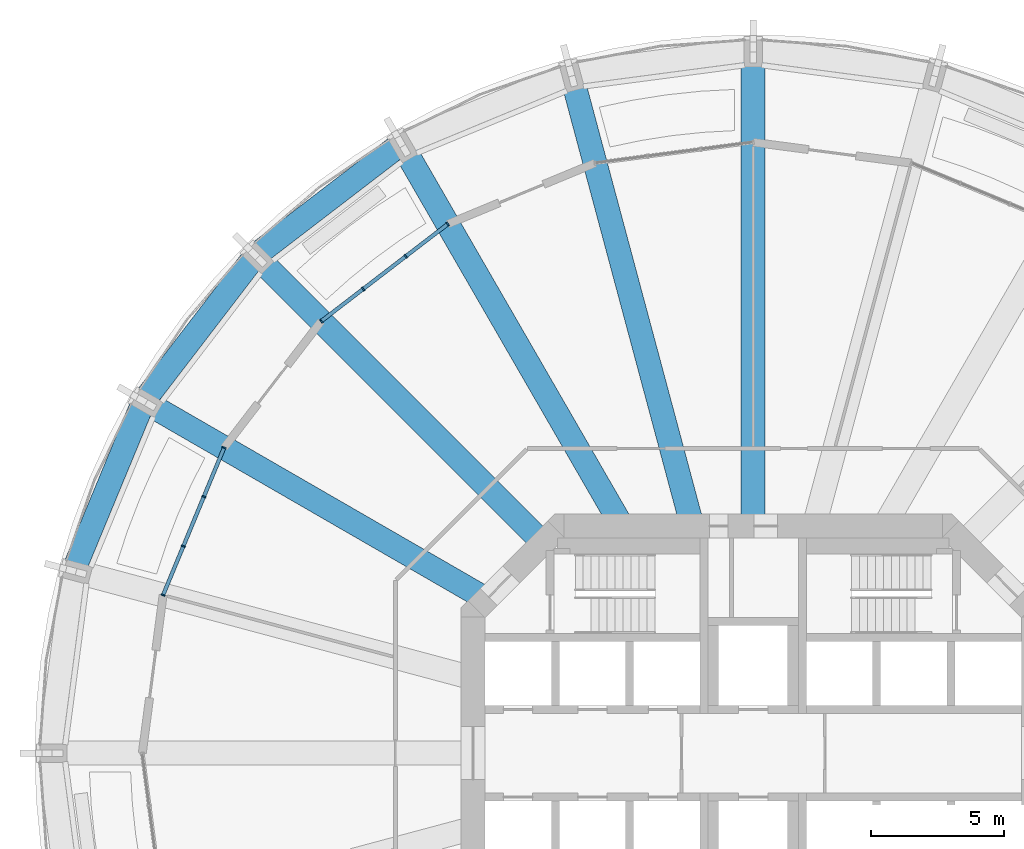
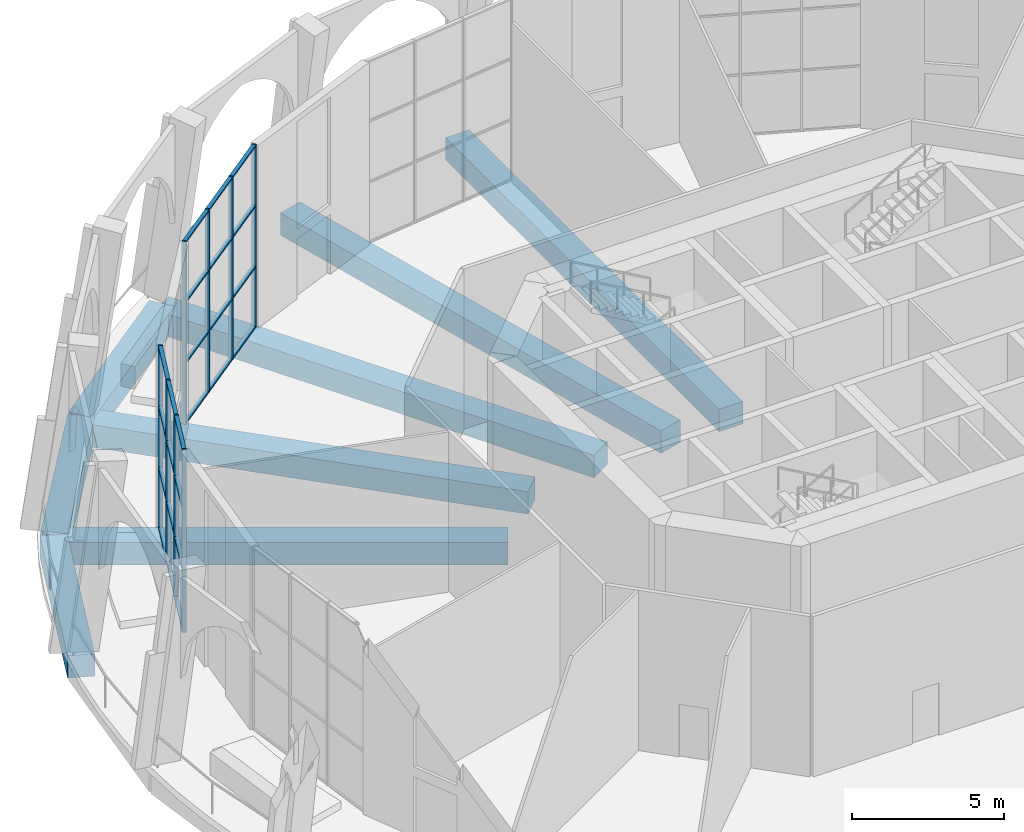
# One storey, part 7 of 19: 32 members, 8 beams, 2 elements without a shape of their own.
"""IFC4 building model written with IfcOpenShell, lengths in metres."""

import ifcopenshell
import ifcopenshell.guid

model = None  # the IFC model being written
_history = None  # IfcOwnerHistory: only IFC2X3 demands one
_inside = {}  # id of a spatial element -> (the spatial element, [elements in it])
_under = {}  # id of a project, library or spatial element -> (it, [spatial elements below it])
_declared = {}  # id of a project -> (the project, [libraries it declares])
_typed = {}  # id of a type object -> (the type object, [elements of that type])
_made_of = {}  # id of a material, layer set ... -> (it, [elements and type objects made of it])


def new_model(schema):
    """Start an empty IFC model of exactly this schema.

    Asked for "IFC4X3", IfcOpenShell would pick the latest addendum, in which some entities
    have other attributes; the version numbers below select the first issue.
    IFC2X3 requires an IfcOwnerHistory on every rooted entity: one is made here for all.
    """
    global model, _history
    if schema == "IFC4X3":
        model = ifcopenshell.file(schema_version=(4, 3, 0, 0))
    else:
        model = ifcopenshell.file(schema=schema)
    _inside.clear()
    _under.clear()
    _declared.clear()
    _typed.clear()
    _made_of.clear()
    _history = None
    if model.schema == "IFC2X3":
        org = make("IfcOrganization", Name="unknown")
        user = make(
            "IfcPersonAndOrganization",
            ThePerson=make("IfcPerson", FamilyName="unknown"),
            TheOrganization=org,
        )
        app = make(
            "IfcApplication",
            ApplicationDeveloper=org,
            Version="unknown",
            ApplicationFullName="unknown",
            ApplicationIdentifier="unknown",
        )
        _history = make(
            "IfcOwnerHistory",
            OwningUser=user,
            OwningApplication=app,
            ChangeAction="ADDED",
            CreationDate=0,
        )
    return model


def make(cls, **values):
    """One entity of the class cls with the attributes given. An attribute that is None is left unset."""
    return model.create_entity(
        cls, **{name: value for name, value in values.items() if value is not None}
    )


def rooted(cls, **values):
    """An entity with a GlobalId (a new one), such as an element, a storey or a relation."""
    return make(cls, GlobalId=ifcopenshell.guid.new(), OwnerHistory=_history, **values)


def si_unit(unit_type, name, prefix=None):
    """IfcSIUnit, for example si_unit("LENGTHUNIT", "METRE", prefix="MILLI")."""
    return make("IfcSIUnit", UnitType=unit_type, Prefix=prefix, Name=name)


def assignment(units):
    """IfcUnitAssignment: the units of a project."""
    return None if units is None else make("IfcUnitAssignment", Units=units)


def point(xyz):
    """IfcCartesianPoint."""
    return None if xyz is None else make("IfcCartesianPoint", Coordinates=xyz)


def direction(xyz):
    """IfcDirection."""
    return None if xyz is None else make("IfcDirection", DirectionRatios=xyz)


def frame(location, z_axis=None, x_axis=None):
    """IfcAxis2Placement3D, a coordinate frame: its origin and axes. An axis left out is left unset."""
    return make(
        "IfcAxis2Placement3D",
        Location=point(location),
        Axis=direction(z_axis),
        RefDirection=direction(x_axis),
    )


def frame_2d(location, x_axis=None):
    """IfcAxis2Placement2D, a coordinate frame in the plane: its origin and x axis."""
    return make(
        "IfcAxis2Placement2D", Location=point(location), RefDirection=direction(x_axis)
    )


def origin():
    """The frame at (0, 0, 0) with its axes left unset."""
    return frame((0.0, 0.0, 0.0))


def origin_2d():
    """The frame at (0, 0) in the plane with its x axis left unset."""
    return frame_2d((0.0, 0.0))


def place(relative_to, where):
    """IfcLocalPlacement: puts the frame where relative to a parent placement (None: the world)."""
    return make(
        "IfcLocalPlacement", PlacementRelTo=relative_to, RelativePlacement=where
    )


def context(
    kind, dimensions, precision=None, world=None, true_north=None, identifier=None
):
    """IfcGeometricRepresentationContext, for example the 3D "Model" context."""
    return make(
        "IfcGeometricRepresentationContext",
        ContextIdentifier=identifier,
        ContextType=kind,
        CoordinateSpaceDimension=dimensions,
        Precision=precision,
        WorldCoordinateSystem=world,
        TrueNorth=true_north,
    )


def subcontext(parent, identifier, kind, view, scale=None):
    """IfcGeometricRepresentationSubContext, for example "Body" below "Model"."""
    return make(
        "IfcGeometricRepresentationSubContext",
        ContextIdentifier=identifier,
        ContextType=kind,
        ParentContext=parent,
        TargetScale=scale,
        TargetView=view,
    )


def project(units=None, contexts=None):
    """IfcProject with its units and contexts."""
    return rooted(
        "IfcProject",
        Name="project",
        RepresentationContexts=contexts,
        UnitsInContext=assignment(units),
    )


def spatial(cls, under=None, at=None, **own):
    """A site, building, storey or space (cls), placed at a placement, below another one or the project."""
    s = rooted(cls, ObjectPlacement=at, **own)
    if under is not None:
        _under.setdefault(under.id(), (under, []))[1].append(s)
    return s


def profile(cls, at=None, kind="AREA", **sizes):
    """A parametric profile (cls). Its sizes go by their IFC names, for example OverallWidth=200.0."""
    return make(cls, ProfileType=kind, Position=at, **sizes)


def rectangle(**sizes):
    """IfcRectangleProfileDef."""
    return profile("IfcRectangleProfileDef", **sizes)


def extrude(swept, where, along, depth):
    """IfcExtrudedAreaSolid: the profile swept, set in the frame where, extruded along a direction by depth."""
    return make(
        "IfcExtrudedAreaSolid",
        SweptArea=swept,
        Position=where,
        ExtrudedDirection=direction(along),
        Depth=depth,
    )


def shape(context_of_items, identifier, shape_type, items):
    """IfcShapeRepresentation: the items that make up one representation, for example the "Body"."""
    return make(
        "IfcShapeRepresentation",
        ContextOfItems=context_of_items,
        RepresentationIdentifier=identifier,
        RepresentationType=shape_type,
        Items=items,
    )


def material(Name=None, Category=None):
    """IfcMaterial."""
    return make("IfcMaterial", Name=Name, Category=Category)


def material_profile(
    of_material, cross_section, Name=None, Category=None, Priority=None
):
    """IfcMaterialProfile: a cross section and its material."""
    return make(
        "IfcMaterialProfile",
        Name=Name,
        Material=of_material,
        Profile=cross_section,
        Priority=Priority,
        Category=Category,
    )


def profile_set(profiles, Name=None, composite=None):
    """IfcMaterialProfileSet."""
    return make(
        "IfcMaterialProfileSet",
        Name=Name,
        MaterialProfiles=profiles,
        CompositeProfile=composite,
    )


def made_of(thing, what):
    """Note that an element or type object is made of a material, layer set ...; save() writes the relation."""
    if what is not None:
        _made_of.setdefault(what.id(), (what, []))[1].append(thing)
    return thing


def type_object(cls, material=None, **own):
    """A type object (cls), such as IfcWallType, which elements share."""
    return made_of(rooted(cls, **own), material)


def element(
    cls,
    number,
    at=None,
    inside=None,
    cuts=None,
    type_object=None,
    material=None,
    context=None,
    identifier="Body",
    shape_type=None,
    held_by="IfcProductDefinitionShape",
    body=None,
    shapes=None,
    **own,
):
    """One element of the class cls, such as IfcWall. Its Tag is "e" and its number.

    at: its placement. inside: the storey or other place that contains it. cuts: it is an
    opening in that element (IfcRelVoidsElement). A single representation is given by context,
    identifier, shape_type and body (its items); several are given by shapes. held_by: the class
    of the entity that holds the representations. save() writes the other relations.
    """
    e = rooted(cls, Tag="e%d" % number, ObjectPlacement=at, **own)
    if body is not None:
        shapes = [shape(context, identifier, shape_type, body)]
    if shapes is not None:
        e.Representation = make(held_by, Representations=shapes)
    if inside is not None:
        _inside.setdefault(inside.id(), (inside, []))[1].append(e)
    if cuts is not None:
        rooted(
            "IfcRelVoidsElement", RelatingBuildingElement=cuts, RelatedOpeningElement=e
        )
    if type_object is not None:
        _typed.setdefault(type_object.id(), (type_object, []))[1].append(e)
    return made_of(e, material)


def aggregate(whole, parts):
    """IfcRelAggregates: a whole, such as a stair, and the parts it consists of."""
    return rooted("IfcRelAggregates", RelatingObject=whole, RelatedObjects=parts)


def save(model, path):
    """Write the relations noted so far, then the file.

    IfcRelAggregates (storeys below a building ...), IfcRelContainedInSpatialStructure (elements
    in a storey), IfcRelDefinesByType, IfcRelAssociatesMaterial and IfcRelDeclares: one each for
    every whole, place, type object, material and project.
    """
    for whole, parts in _under.values():
        aggregate(whole, parts)
    for where, things in _inside.values():
        rooted(
            "IfcRelContainedInSpatialStructure",
            RelatedElements=things,
            RelatingStructure=where,
        )
    for kind, things in _typed.values():
        rooted("IfcRelDefinesByType", RelatedObjects=things, RelatingType=kind)
    for what, things in _made_of.values():
        rooted("IfcRelAssociatesMaterial", RelatedObjects=things, RelatingMaterial=what)
    for by, libraries in _declared.values():
        rooted("IfcRelDeclares", RelatingContext=by, RelatedDefinitions=libraries)
    model.write(path)


model = new_model("IFC4")

# Units and contexts
model_context = context("Model", 3, precision=1e-05, world=origin(), true_north=direction((0.0, 1.0)))
body_context = subcontext(model_context, "Body", "Model", "MODEL_VIEW")
ifc_project = project(units=[si_unit("LENGTHUNIT", "METRE"), si_unit("AREAUNIT", "SQUARE_METRE"), si_unit("VOLUMEUNIT", "CUBIC_METRE"), si_unit("PLANEANGLEUNIT", "RADIAN"), si_unit("MASSUNIT", "GRAM", prefix="KILO")], contexts=[model_context])

# Site, building, storey
site_placement = place(None, origin())
site = spatial("IfcSite", under=ifc_project, at=site_placement, CompositionType="ELEMENT")
building_placement = place(site_placement, origin())
building = spatial("IfcBuilding", under=site, at=building_placement, Name="Torre Triforio", CompositionType="ELEMENT")
storey_placement = place(building_placement, frame((0.0, 0.0, 79.0)))
storey = spatial("IfcBuildingStorey", under=building, at=storey_placement, Name="L17", CompositionType="ELEMENT", Elevation=79.0)

# Curtain wall, members
ifc_material_1 = material(Name="Aluminium mullion and transom frame with clear laminated glass", Category="aluminium")
curtain_wall_type = type_object("IfcCurtainWallType", Name="Sky garden conservatory wall ECW3", PredefinedType="NOTDEFINED", material=ifc_material_1)
curtain_wall_1_placement = place(storey_placement, origin())
curtain_wall_1 = element("IfcCurtainWall", 1, at=curtain_wall_1_placement, inside=storey, type_object=curtain_wall_type, Name="Conservatory wall L17 bay 09", PredefinedType="NOTDEFINED")
ifc_material_2 = material(Name="Anodised aluminium extrusion", Category="aluminium")
ifc_material_profile_1 = material_profile(ifc_material_2, rectangle(XDim=0.159912109375, YDim=0.06005859375, at=origin_2d()), Name="ECW3 MULLION 60x160")
ifc_profile_set_1 = profile_set([ifc_material_profile_1], Name="Anodised aluminium extrusion")
member_type_1 = type_object("IfcMemberType", Name="ECW3 mullion 60 x 160", PredefinedType="MULLION", material=ifc_profile_set_1)
member_1_placement = place(storey_placement, frame((-11.5, 19.91845703125, 0.0), z_axis=(0.0, 0.0, 1.0), x_axis=(0.608752412461, -0.79336025885, 0.0)))
member_1 = element("IfcMember", 2, at=member_1_placement, type_object=member_type_1, Name="ECW3 mullion 1", PredefinedType="MULLION", context=body_context, shape_type="SweptSolid", body=[
    extrude(rectangle(XDim=0.159912109375, YDim=0.06005859375, at=origin_2d()), origin(), (0.0, 0.0, 1.0), 7.320068359375),
])
member_2_placement = place(storey_placement, frame((-13.079833984375, 18.706298828125, 0.0), z_axis=(0.0, 0.0, 1.0), x_axis=(0.608752412461, -0.79336025885, 0.0)))
member_2 = element("IfcMember", 3, at=member_2_placement, type_object=member_type_1, Name="ECW3 mullion 2", PredefinedType="MULLION", context=body_context, shape_type="SweptSolid", body=[
    extrude(rectangle(XDim=0.159912109375, YDim=0.06005859375, at=origin_2d()), origin(), (0.0, 0.0, 1.0), 7.320068359375),
])
member_3_placement = place(storey_placement, frame((-14.68359375, 17.475830078125, 0.0), z_axis=(0.0, 0.0, 1.0), x_axis=(0.608752412461, -0.79336025885, 0.0)))
member_3 = element("IfcMember", 4, at=member_3_placement, type_object=member_type_1, Name="ECW3 mullion 3", PredefinedType="MULLION", context=body_context, shape_type="SweptSolid", body=[
    extrude(rectangle(XDim=0.159912109375, YDim=0.06005859375, at=origin_2d()), origin(), (0.0, 0.0, 1.0), 7.320068359375),
])
member_4_placement = place(storey_placement, frame((-16.263427734375, 16.263427734375, 0.0), z_axis=(0.0, 0.0, 1.0), x_axis=(0.608752412461, -0.79336025885, 0.0)))
member_4 = element("IfcMember", 5, at=member_4_placement, type_object=member_type_1, Name="ECW3 mullion 4", PredefinedType="MULLION", context=body_context, shape_type="SweptSolid", body=[
    extrude(rectangle(XDim=0.159912109375, YDim=0.06005859375, at=origin_2d()), origin(), (0.0, 0.0, 1.0), 7.320068359375),
])

curtain_wall_2_placement = place(storey_placement, origin())
curtain_wall_2 = element("IfcCurtainWall", 6, at=curtain_wall_2_placement, inside=storey, type_object=curtain_wall_type, Name="Conservatory wall L17 bay 11", PredefinedType="NOTDEFINED")
member_5_placement = place(storey_placement, frame((-19.918701171875, 11.5, 0.0), z_axis=(0.0, 0.0, 1.0), x_axis=(0.923877952799, -0.382687246105, 0.0)))
member_5 = element("IfcMember", 7, at=member_5_placement, type_object=member_type_1, Name="ECW3 mullion 1", PredefinedType="MULLION", context=body_context, shape_type="SweptSolid", body=[
    extrude(rectangle(XDim=0.159912109375, YDim=0.06005859375, at=origin_2d()), origin(), (0.0, 0.0, 1.0), 7.320068359375),
])
member_6_placement = place(storey_placement, frame((-20.6806640625, 9.66015625, 0.0), z_axis=(0.0, 0.0, 1.0), x_axis=(0.923877952799, -0.382687246105, 0.0)))
member_6 = element("IfcMember", 8, at=member_6_placement, type_object=member_type_1, Name="ECW3 mullion 2", PredefinedType="MULLION", context=body_context, shape_type="SweptSolid", body=[
    extrude(rectangle(XDim=0.159912109375, YDim=0.06005859375, at=origin_2d()), origin(), (0.0, 0.0, 1.0), 7.320068359375),
])
member_7_placement = place(storey_placement, frame((-21.454345703125, 7.792724609375, 0.0), z_axis=(0.0, 0.0, 1.0), x_axis=(0.923877952799, -0.382687246105, 0.0)))
member_7 = element("IfcMember", 9, at=member_7_placement, type_object=member_type_1, Name="ECW3 mullion 3", PredefinedType="MULLION", context=body_context, shape_type="SweptSolid", body=[
    extrude(rectangle(XDim=0.159912109375, YDim=0.06005859375, at=origin_2d()), origin(), (0.0, 0.0, 1.0), 7.320068359375),
])
member_8_placement = place(storey_placement, frame((-22.21630859375, 5.952880859375, 0.0), z_axis=(0.0, 0.0, 1.0), x_axis=(0.923877952799, -0.382687246105, 0.0)))
member_8 = element("IfcMember", 10, at=member_8_placement, type_object=member_type_1, Name="ECW3 mullion 4", PredefinedType="MULLION", context=body_context, shape_type="SweptSolid", body=[
    extrude(rectangle(XDim=0.159912109375, YDim=0.06005859375, at=origin_2d()), origin(), (0.0, 0.0, 1.0), 7.320068359375),
])

# Member
ifc_material_profile_2 = material_profile(ifc_material_2, rectangle(XDim=0.139892578125, YDim=0.06005859375, at=origin_2d()), Name="ECW3 TRANSOM 60x140")
ifc_profile_set_2 = profile_set([ifc_material_profile_2], Name="Anodised aluminium extrusion")
member_type_2 = type_object("IfcMemberType", Name="ECW3 transom 60 x 140", PredefinedType="USERDEFINED", material=ifc_profile_set_2)
member_9_placement = place(storey_placement, frame((-11.523681640625, 19.900390625, 0.030029296875), z_axis=(-0.793384563644, -0.608720735783, 0.0), x_axis=(0.608720735783, -0.793384563644, 0.0)))
member_9 = element("IfcMember", 11, at=member_9_placement, type_object=member_type_2, Name="ECW3 transom 1.1", ObjectType="TRANSOM", PredefinedType="USERDEFINED", context=body_context, shape_type="SweptSolid", body=[
    extrude(rectangle(XDim=0.139892578125, YDim=0.06005859375, at=origin_2d()), origin(), (0.0, 0.0, 1.0), 1.931640625),
])

member_10_placement = place(storey_placement, frame((-11.523681640625, 19.900390625, 2.43994140625), z_axis=(-0.793384563644, -0.608720735783, 0.0), x_axis=(0.608720735783, -0.793384563644, 0.0)))
member_10 = element("IfcMember", 12, at=member_10_placement, type_object=member_type_2, Name="ECW3 transom 1.2", ObjectType="TRANSOM", PredefinedType="USERDEFINED", context=body_context, shape_type="SweptSolid", body=[
    extrude(rectangle(XDim=0.139892578125, YDim=0.06005859375, at=origin_2d()), origin(), (0.0, 0.0, 1.0), 1.931640625),
])

member_11_placement = place(storey_placement, frame((-11.523681640625, 19.900390625, 4.8798828125), z_axis=(-0.793384563644, -0.608720735783, 0.0), x_axis=(0.608720735783, -0.793384563644, 0.0)))
member_11 = element("IfcMember", 13, at=member_11_placement, type_object=member_type_2, Name="ECW3 transom 1.3", ObjectType="TRANSOM", PredefinedType="USERDEFINED", context=body_context, shape_type="SweptSolid", body=[
    extrude(rectangle(XDim=0.139892578125, YDim=0.06005859375, at=origin_2d()), origin(), (0.0, 0.0, 1.0), 1.931640625),
])

member_12_placement = place(storey_placement, frame((-11.523681640625, 19.900390625, 7.2900390625), z_axis=(-0.793384563644, -0.608720735783, 0.0), x_axis=(0.608720735783, -0.793384563644, 0.0)))
member_12 = element("IfcMember", 14, at=member_12_placement, type_object=member_type_2, Name="ECW3 transom 1.4", ObjectType="TRANSOM", PredefinedType="USERDEFINED", context=body_context, shape_type="SweptSolid", body=[
    extrude(rectangle(XDim=0.139892578125, YDim=0.06005859375, at=origin_2d()), origin(), (0.0, 0.0, 1.0), 1.931640625),
])

member_13_placement = place(storey_placement, frame((-13.103759765625, 18.68798828125, 0.030029296875), z_axis=(-0.793349867047, -0.608765955401, 0.0), x_axis=(0.608765955401, -0.793349867047, 0.0)))
member_13 = element("IfcMember", 15, at=member_13_placement, type_object=member_type_2, Name="ECW3 transom 2.1", ObjectType="TRANSOM", PredefinedType="USERDEFINED", context=body_context, shape_type="SweptSolid", body=[
    extrude(rectangle(XDim=0.139892578125, YDim=0.06005859375, at=origin_2d()), origin(), (0.0, 0.0, 1.0), 1.96142578125),
])

member_14_placement = place(storey_placement, frame((-13.103759765625, 18.68798828125, 2.43994140625), z_axis=(-0.793349867047, -0.608765955401, 0.0), x_axis=(0.608765955401, -0.793349867047, 0.0)))
member_14 = element("IfcMember", 16, at=member_14_placement, type_object=member_type_2, Name="ECW3 transom 2.2", ObjectType="TRANSOM", PredefinedType="USERDEFINED", context=body_context, shape_type="SweptSolid", body=[
    extrude(rectangle(XDim=0.139892578125, YDim=0.06005859375, at=origin_2d()), origin(), (0.0, 0.0, 1.0), 1.96142578125),
])

member_15_placement = place(storey_placement, frame((-13.103759765625, 18.68798828125, 4.8798828125), z_axis=(-0.793349867047, -0.608765955401, 0.0), x_axis=(0.608765955401, -0.793349867047, 0.0)))
member_15 = element("IfcMember", 17, at=member_15_placement, type_object=member_type_2, Name="ECW3 transom 2.3", ObjectType="TRANSOM", PredefinedType="USERDEFINED", context=body_context, shape_type="SweptSolid", body=[
    extrude(rectangle(XDim=0.139892578125, YDim=0.06005859375, at=origin_2d()), origin(), (0.0, 0.0, 1.0), 1.96142578125),
])

member_16_placement = place(storey_placement, frame((-13.103759765625, 18.68798828125, 7.2900390625), z_axis=(-0.793349867047, -0.608765955401, 0.0), x_axis=(0.608765955401, -0.793349867047, 0.0)))
member_16 = element("IfcMember", 18, at=member_16_placement, type_object=member_type_2, Name="ECW3 transom 2.4", ObjectType="TRANSOM", PredefinedType="USERDEFINED", context=body_context, shape_type="SweptSolid", body=[
    extrude(rectangle(XDim=0.139892578125, YDim=0.06005859375, at=origin_2d()), origin(), (0.0, 0.0, 1.0), 1.96142578125),
])

member_17_placement = place(storey_placement, frame((-14.70751953125, 17.45751953125, 0.030029296875), z_axis=(-0.793337721891, -0.608781782764, 0.0), x_axis=(0.608781782764, -0.793337721891, 0.0)))
member_17 = element("IfcMember", 19, at=member_17_placement, type_object=member_type_2, Name="ECW3 transom 3.1", ObjectType="TRANSOM", PredefinedType="USERDEFINED", context=body_context, shape_type="SweptSolid", body=[
    extrude(rectangle(XDim=0.139892578125, YDim=0.06005859375, at=origin_2d()), origin(), (0.0, 0.0, 1.0), 1.931396484375),
])

member_18_placement = place(storey_placement, frame((-14.70751953125, 17.45751953125, 2.43994140625), z_axis=(-0.793337721891, -0.608781782764, 0.0), x_axis=(0.608781782764, -0.793337721891, 0.0)))
member_18 = element("IfcMember", 20, at=member_18_placement, type_object=member_type_2, Name="ECW3 transom 3.2", ObjectType="TRANSOM", PredefinedType="USERDEFINED", context=body_context, shape_type="SweptSolid", body=[
    extrude(rectangle(XDim=0.139892578125, YDim=0.06005859375, at=origin_2d()), origin(), (0.0, 0.0, 1.0), 1.931396484375),
])

member_19_placement = place(storey_placement, frame((-14.70751953125, 17.45751953125, 4.8798828125), z_axis=(-0.793337721891, -0.608781782764, 0.0), x_axis=(0.608781782764, -0.793337721891, 0.0)))
member_19 = element("IfcMember", 21, at=member_19_placement, type_object=member_type_2, Name="ECW3 transom 3.3", ObjectType="TRANSOM", PredefinedType="USERDEFINED", context=body_context, shape_type="SweptSolid", body=[
    extrude(rectangle(XDim=0.139892578125, YDim=0.06005859375, at=origin_2d()), origin(), (0.0, 0.0, 1.0), 1.931396484375),
])

member_20_placement = place(storey_placement, frame((-14.70751953125, 17.45751953125, 7.2900390625), z_axis=(-0.793337721891, -0.608781782764, 0.0), x_axis=(0.608781782764, -0.793337721891, 0.0)))
member_20 = element("IfcMember", 22, at=member_20_placement, type_object=member_type_2, Name="ECW3 transom 3.4", ObjectType="TRANSOM", PredefinedType="USERDEFINED", context=body_context, shape_type="SweptSolid", body=[
    extrude(rectangle(XDim=0.139892578125, YDim=0.06005859375, at=origin_2d()), origin(), (0.0, 0.0, 1.0), 1.931396484375),
])

aggregate(curtain_wall_1, [member_1, member_2, member_3, member_4, member_9, member_10, member_11, member_12, member_13, member_14, member_15, member_16, member_17, member_18, member_19, member_20])

member_21_placement = place(storey_placement, frame((-19.93017578125, 11.47216796875, 0.030029296875), z_axis=(-0.382675586032, -0.92388278253, 0.0), x_axis=(0.92388278253, -0.382675586032, 0.0)))
member_21 = element("IfcMember", 23, at=member_21_placement, type_object=member_type_2, Name="ECW3 transom 1.1", ObjectType="TRANSOM", PredefinedType="USERDEFINED", context=body_context, shape_type="SweptSolid", body=[
    extrude(rectangle(XDim=0.139892578125, YDim=0.06005859375, at=origin_2d()), origin(), (0.0, 0.0, 1.0), 1.93115234375),
])

member_22_placement = place(storey_placement, frame((-19.93017578125, 11.47216796875, 2.43994140625), z_axis=(-0.382675586032, -0.92388278253, 0.0), x_axis=(0.92388278253, -0.382675586032, 0.0)))
member_22 = element("IfcMember", 24, at=member_22_placement, type_object=member_type_2, Name="ECW3 transom 1.2", ObjectType="TRANSOM", PredefinedType="USERDEFINED", context=body_context, shape_type="SweptSolid", body=[
    extrude(rectangle(XDim=0.139892578125, YDim=0.06005859375, at=origin_2d()), origin(), (0.0, 0.0, 1.0), 1.93115234375),
])

member_23_placement = place(storey_placement, frame((-19.93017578125, 11.47216796875, 4.8798828125), z_axis=(-0.382675586032, -0.92388278253, 0.0), x_axis=(0.92388278253, -0.382675586032, 0.0)))
member_23 = element("IfcMember", 25, at=member_23_placement, type_object=member_type_2, Name="ECW3 transom 1.3", ObjectType="TRANSOM", PredefinedType="USERDEFINED", context=body_context, shape_type="SweptSolid", body=[
    extrude(rectangle(XDim=0.139892578125, YDim=0.06005859375, at=origin_2d()), origin(), (0.0, 0.0, 1.0), 1.93115234375),
])

member_24_placement = place(storey_placement, frame((-19.93017578125, 11.47216796875, 7.2900390625), z_axis=(-0.382675586032, -0.92388278253, 0.0), x_axis=(0.92388278253, -0.382675586032, 0.0)))
member_24 = element("IfcMember", 26, at=member_24_placement, type_object=member_type_2, Name="ECW3 transom 1.4", ObjectType="TRANSOM", PredefinedType="USERDEFINED", context=body_context, shape_type="SweptSolid", body=[
    extrude(rectangle(XDim=0.139892578125, YDim=0.06005859375, at=origin_2d()), origin(), (0.0, 0.0, 1.0), 1.93115234375),
])

member_25_placement = place(storey_placement, frame((-20.692138671875, 9.632568359375, 0.030029296875), z_axis=(-0.38271452944, -0.923866651068, 0.0), x_axis=(0.923866651068, -0.38271452944, 0.0)))
member_25 = element("IfcMember", 27, at=member_25_placement, type_object=member_type_2, Name="ECW3 transom 2.1", ObjectType="TRANSOM", PredefinedType="USERDEFINED", context=body_context, shape_type="SweptSolid", body=[
    extrude(rectangle(XDim=0.139892578125, YDim=0.06005859375, at=origin_2d()), origin(), (0.0, 0.0, 1.0), 1.961669921875),
])

member_26_placement = place(storey_placement, frame((-20.692138671875, 9.632568359375, 2.43994140625), z_axis=(-0.38271452944, -0.923866651068, 0.0), x_axis=(0.923866651068, -0.38271452944, 0.0)))
member_26 = element("IfcMember", 28, at=member_26_placement, type_object=member_type_2, Name="ECW3 transom 2.2", ObjectType="TRANSOM", PredefinedType="USERDEFINED", context=body_context, shape_type="SweptSolid", body=[
    extrude(rectangle(XDim=0.139892578125, YDim=0.06005859375, at=origin_2d()), origin(), (0.0, 0.0, 1.0), 1.961669921875),
])

member_27_placement = place(storey_placement, frame((-20.692138671875, 9.632568359375, 4.8798828125), z_axis=(-0.38271452944, -0.923866651068, 0.0), x_axis=(0.923866651068, -0.38271452944, 0.0)))
member_27 = element("IfcMember", 29, at=member_27_placement, type_object=member_type_2, Name="ECW3 transom 2.3", ObjectType="TRANSOM", PredefinedType="USERDEFINED", context=body_context, shape_type="SweptSolid", body=[
    extrude(rectangle(XDim=0.139892578125, YDim=0.06005859375, at=origin_2d()), origin(), (0.0, 0.0, 1.0), 1.961669921875),
])

member_28_placement = place(storey_placement, frame((-20.692138671875, 9.632568359375, 7.2900390625), z_axis=(-0.38271452944, -0.923866651068, 0.0), x_axis=(0.923866651068, -0.38271452944, 0.0)))
member_28 = element("IfcMember", 30, at=member_28_placement, type_object=member_type_2, Name="ECW3 transom 2.4", ObjectType="TRANSOM", PredefinedType="USERDEFINED", context=body_context, shape_type="SweptSolid", body=[
    extrude(rectangle(XDim=0.139892578125, YDim=0.06005859375, at=origin_2d()), origin(), (0.0, 0.0, 1.0), 1.961669921875),
])

member_29_placement = place(storey_placement, frame((-21.4658203125, 7.764892578125, 0.030029296875), z_axis=(-0.382630895081, -0.923901292417, 0.0), x_axis=(0.923901292417, -0.382630895081, 0.0)))
member_29 = element("IfcMember", 31, at=member_29_placement, type_object=member_type_2, Name="ECW3 transom 3.1", ObjectType="TRANSOM", PredefinedType="USERDEFINED", context=body_context, shape_type="SweptSolid", body=[
    extrude(rectangle(XDim=0.139892578125, YDim=0.06005859375, at=origin_2d()), origin(), (0.0, 0.0, 1.0), 1.931396484375),
])

member_30_placement = place(storey_placement, frame((-21.4658203125, 7.764892578125, 2.43994140625), z_axis=(-0.382630895081, -0.923901292417, 0.0), x_axis=(0.923901292417, -0.382630895081, 0.0)))
member_30 = element("IfcMember", 32, at=member_30_placement, type_object=member_type_2, Name="ECW3 transom 3.2", ObjectType="TRANSOM", PredefinedType="USERDEFINED", context=body_context, shape_type="SweptSolid", body=[
    extrude(rectangle(XDim=0.139892578125, YDim=0.06005859375, at=origin_2d()), origin(), (0.0, 0.0, 1.0), 1.931396484375),
])

member_31_placement = place(storey_placement, frame((-21.4658203125, 7.764892578125, 4.8798828125), z_axis=(-0.382630895081, -0.923901292417, 0.0), x_axis=(0.923901292417, -0.382630895081, 0.0)))
member_31 = element("IfcMember", 33, at=member_31_placement, type_object=member_type_2, Name="ECW3 transom 3.3", ObjectType="TRANSOM", PredefinedType="USERDEFINED", context=body_context, shape_type="SweptSolid", body=[
    extrude(rectangle(XDim=0.139892578125, YDim=0.06005859375, at=origin_2d()), origin(), (0.0, 0.0, 1.0), 1.931396484375),
])

member_32_placement = place(storey_placement, frame((-21.4658203125, 7.764892578125, 7.2900390625), z_axis=(-0.382630895081, -0.923901292417, 0.0), x_axis=(0.923901292417, -0.382630895081, 0.0)))
member_32 = element("IfcMember", 34, at=member_32_placement, type_object=member_type_2, Name="ECW3 transom 3.4", ObjectType="TRANSOM", PredefinedType="USERDEFINED", context=body_context, shape_type="SweptSolid", body=[
    extrude(rectangle(XDim=0.139892578125, YDim=0.06005859375, at=origin_2d()), origin(), (0.0, 0.0, 1.0), 1.931396484375),
])

aggregate(curtain_wall_2, [member_5, member_6, member_7, member_8, member_21, member_22, member_23, member_24, member_25, member_26, member_27, member_28, member_29, member_30, member_31, member_32])

# Beams
ifc_material_3 = material(Name="Concrete C50", Category="concrete")
ifc_material_profile_3 = material_profile(ifc_material_3, rectangle(XDim=0.89990234375, YDim=0.89990234375, at=origin_2d()), Name="RC 900x900")
ifc_profile_set_3 = profile_set([ifc_material_profile_3], Name="Concrete C50")
beam_type_1 = type_object("IfcBeamType", Name="Radial beam RC 900x900 C50", PredefinedType="BEAM", material=ifc_profile_set_3)
beam_1_placement = place(storey_placement, frame((0.0, 8.550048828125, -0.72998046875), z_axis=(0.0, 1.0, 0.0), x_axis=(-1.0, 0.0, 0.0)))
element("IfcBeam", 35, at=beam_1_placement, inside=storey, type_object=beam_type_1, Name="BM.R.L17.06", PredefinedType="BEAM", context=body_context, shape_type="SweptSolid", body=[
    extrude(rectangle(XDim=0.89990234375, YDim=0.89990234375, at=origin_2d()), origin(), (0.0, 0.0, 1.0), 17.949951171875),
])
beam_2_placement = place(storey_placement, frame((-2.291015625, 8.550048828125, -0.72998046875), z_axis=(-0.258815374176, 0.965926809903, 0.0), x_axis=(-0.965926809903, -0.258815374176, 0.0)))
element("IfcBeam", 36, at=beam_2_placement, inside=storey, type_object=beam_type_1, Name="BM.R.L17.07", PredefinedType="BEAM", context=body_context, shape_type="SweptSolid", body=[
    extrude(rectangle(XDim=0.89990234375, YDim=0.89990234375, at=origin_2d()), origin(), (0.0, 0.0, 1.0), 17.648193359375),
])
beam_3_placement = place(storey_placement, frame((-4.936279296875, 8.550048828125, -0.72998046875), z_axis=(-0.500003345241, 0.8660234724, 0.0), x_axis=(-0.8660234724, -0.500003345241, 0.0)))
element("IfcBeam", 37, at=beam_3_placement, inside=storey, type_object=beam_type_1, Name="BM.R.L17.08", PredefinedType="BEAM", context=body_context, shape_type="SweptSolid", body=[
    extrude(rectangle(XDim=0.89990234375, YDim=0.89990234375, at=origin_2d()), origin(), (0.0, 0.0, 1.0), 16.62744140625),
])
beam_4_placement = place(storey_placement, frame((-7.918212890625, 7.918212890625, -0.72998046875), z_axis=(-0.707106781187, 0.707106781187, 0.0), x_axis=(-0.707106781187, -0.707106781187, 0.0)))
element("IfcBeam", 38, at=beam_4_placement, inside=storey, type_object=beam_type_1, Name="BM.R.L17.09", PredefinedType="BEAM", context=body_context, shape_type="SweptSolid", body=[
    extrude(rectangle(XDim=0.89990234375, YDim=0.89990234375, at=origin_2d()), origin(), (0.0, 0.0, 1.0), 15.302001953125),
])
beam_5_placement = place(storey_placement, frame((-10.039794921875, 5.796630859375, -0.72998046875), z_axis=(-0.866030402573, 0.499991341745, 0.0), x_axis=(-0.499991341745, -0.866030402573, 0.0)))
element("IfcBeam", 39, at=beam_5_placement, inside=storey, type_object=beam_type_1, Name="BM.R.L17.10", PredefinedType="BEAM", context=body_context, shape_type="SweptSolid", body=[
    extrude(rectangle(XDim=0.89990234375, YDim=0.89990234375, at=origin_2d()), origin(), (0.0, 0.0, 1.0), 14.906982421875),
])
ifc_material_profile_4 = material_profile(ifc_material_3, rectangle(XDim=0.89990234375, YDim=0.89990234375, at=origin_2d()), Name="RC 900x900")
ifc_profile_set_4 = profile_set([ifc_material_profile_4], Name="Concrete C50")
beam_type_2 = type_object("IfcBeamType", Name="Spandrel beam RC 900x900 C50", PredefinedType="SPANDREL", material=ifc_profile_set_4)
for number, where, z_axis, x_axis, name in (
    (40, (-13.25, 22.94970703125, -0.72998046875), (-0.793345000259, -0.608772297796, 0.0), (0.608772297796, -0.793345000259, 0.0), "BM.S.L17.08"),
    (41, (-18.73828125, 18.73828125, -0.72998046875), (-0.608772297796, -0.793345000259, 0.0), (0.793345000259, -0.608772297796, 0.0), "BM.S.L17.09"),
    (42, (-22.94970703125, 13.25, -0.72998046875), (-0.382662441128, -0.923888227087, 0.0), (0.923888227087, -0.382662441128, 0.0), "BM.S.L17.10"),
):
    element("IfcBeam", number, at=place(storey_placement, frame(where, z_axis=z_axis, x_axis=x_axis)), inside=storey, type_object=beam_type_2, Name=name, PredefinedType="SPANDREL", context=body_context, shape_type="SweptSolid", body=[
        extrude(rectangle(XDim=0.89990234375, YDim=0.89990234375, at=origin_2d()), origin(), (0.0, 0.0, 1.0), 6.91796875),
    ])

save(model, "model.ifc")
